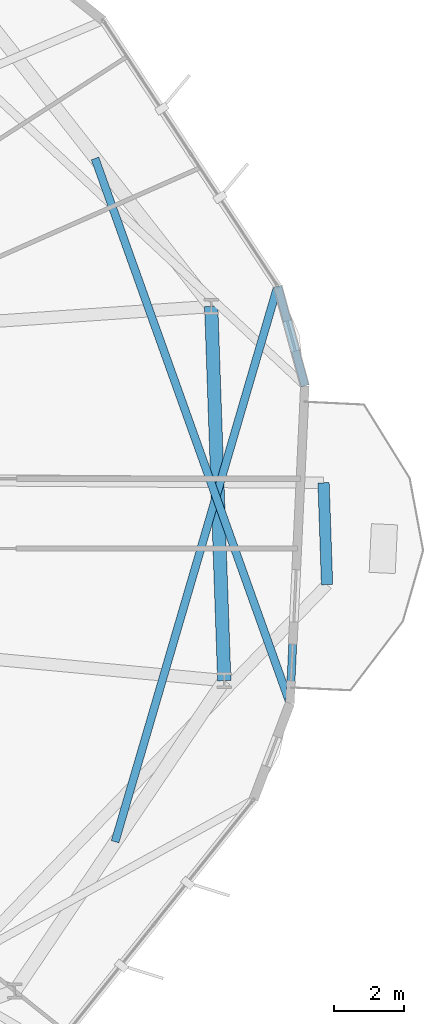
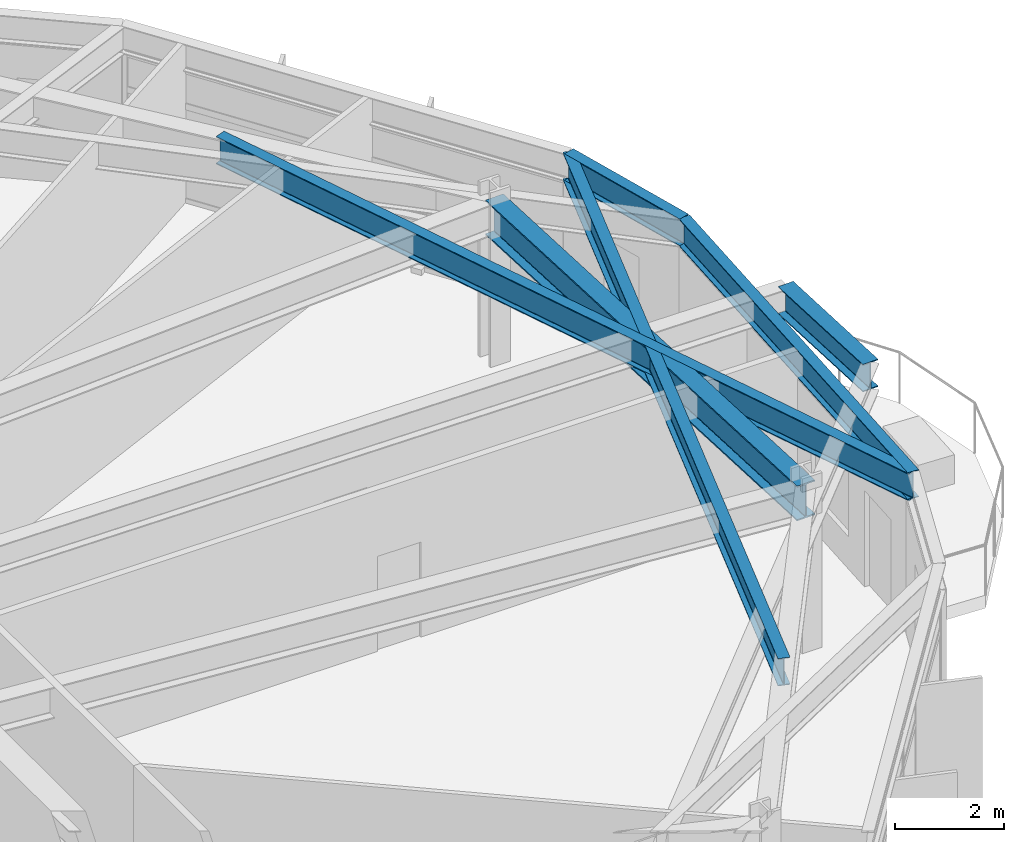
# One storey, part 11 of 25: 6 beams.
"""IFC4 building model written with IfcOpenShell, lengths in metres."""

from ifc_helpers import new_model, si_unit, direction, frame, origin, origin_2d, place, context, subcontext, project, spatial, i_section, extrude, material, material_profile, profile_set, type_object, element, save


model = new_model("IFC4")

# Units and contexts
model_context = context("Model", 3, precision=1e-05, world=origin(), true_north=direction((0.0, 1.0)))
body_context = subcontext(model_context, "Body", "Model", "MODEL_VIEW")
ifc_project = project(units=[si_unit("LENGTHUNIT", "METRE"), si_unit("AREAUNIT", "SQUARE_METRE"), si_unit("VOLUMEUNIT", "CUBIC_METRE"), si_unit("PLANEANGLEUNIT", "RADIAN"), si_unit("MASSUNIT", "GRAM", prefix="KILO")], contexts=[model_context])

# Site, building, storey
site_placement = place(None, origin())
site = spatial("IfcSite", under=ifc_project, at=site_placement, CompositionType="ELEMENT")
building_placement = place(site_placement, origin())
building = spatial("IfcBuilding", under=site, at=building_placement, Name="Soratama Intermodal Tower", CompositionType="ELEMENT")
storey_placement = place(building_placement, frame((0.0, 0.0, 87.39990234375)))
storey = spatial("IfcBuildingStorey", under=building, at=storey_placement, Name="L20", CompositionType="ELEMENT", Elevation=87.39990234375)

# Beams
ifc_material_1 = material(Name="Structural steel ASTM A992 Grade 50", Category="steel")
ifc_material_profile_1 = material_profile(ifc_material_1, i_section(OverallWidth=0.324951171875, OverallDepth=0.615966796875, WebThickness=0.013916015625, FlangeThickness=0.021484375, FilletRadius=0.013916015625, at=origin_2d()), Name="W24X117")
ifc_profile_set_1 = profile_set([ifc_material_profile_1], Name="Structural steel ASTM A992 Grade 50")
beam_type_1 = type_object("IfcBeamType", Name="BM-CANT-W24X117", PredefinedType="BEAM", material=ifc_profile_set_1)
beam_1_placement = place(storey_placement, frame((64.678955078125, 22.9609375, 3.2919921875), z_axis=(-0.034522588399, 0.999403917788, 0.0), x_axis=(-0.999403917788, -0.034522588399, 0.0)))
element("IfcBeam", 1, at=beam_1_placement, inside=storey, type_object=beam_type_1, Name="BM-L20-CBHDR-1", PredefinedType="BEAM", context=body_context, shape_type="SweptSolid", body=[
    extrude(i_section(OverallWidth=0.324951171875, OverallDepth=0.615966796875, WebThickness=0.013916015625, FlangeThickness=0.021484375, FilletRadius=0.013916015625, at=origin_2d()), origin(), (0.0, 0.0, 1.0), 2.927734375),
])
ifc_material_2 = material(Name="Structural steel ASTM A992 Grade 50", Category="steel")
ifc_material_profile_2 = material_profile(ifc_material_2, i_section(OverallWidth=0.382080078125, OverallDepth=0.779052734375, WebThickness=0.01806640625, FlangeThickness=0.030029296875, FilletRadius=0.01806640625, at=origin_2d()), Name="W30X191")
ifc_profile_set_2 = profile_set([ifc_material_profile_2], Name="Structural steel ASTM A992 Grade 50")
beam_type_2 = type_object("IfcBeamType", Name="BM-RING-W30X191", PredefinedType="BEAM", material=ifc_profile_set_2)
beam_2_placement = place(storey_placement, frame((61.72607421875, 20.2041015625, 3.210693359375), z_axis=(-0.034872799059, 0.999391758964, 0.0), x_axis=(-0.999391758964, -0.034872799059, 0.0)))
element("IfcBeam", 2, at=beam_2_placement, inside=storey, type_object=beam_type_2, Name="BM-L20-RING-10", PredefinedType="BEAM", context=body_context, shape_type="SweptSolid", body=[
    extrude(i_section(OverallWidth=0.382080078125, OverallDepth=0.779052734375, WebThickness=0.01806640625, FlangeThickness=0.030029296875, FilletRadius=0.01806640625, at=origin_2d()), origin(), (0.0, 0.0, 1.0), 10.75341796875),
])
ifc_material_3 = material(Name="Structural steel ASTM A992 Grade 50", Category="steel")
ifc_material_profile_3 = material_profile(ifc_material_3, i_section(OverallWidth=0.22900390625, OverallDepth=0.612060546875, WebThickness=0.011962890625, FlangeThickness=0.01953125, FilletRadius=0.012939453125, at=origin_2d()), Name="W24X84")
ifc_profile_set_3 = profile_set([ifc_material_profile_3], Name="Structural steel ASTM A992 Grade 50")
beam_type_3 = type_object("IfcBeamType", Name="BM-SPN-W24X84", PredefinedType="SPANDREL", material=ifc_profile_set_3)
beam_3_placement = place(storey_placement, frame((63.613037109375, 19.552001953125, 3.294189453125), z_axis=(0.047088728485, 0.998890710563, 0.0), x_axis=(-0.998890710563, 0.047088728485, 0.0)))
element("IfcBeam", 3, at=beam_3_placement, inside=storey, type_object=beam_type_3, Name="BS-L20-F10", PredefinedType="SPANDREL", context=body_context, shape_type="SweptSolid", body=[
    extrude(i_section(OverallWidth=0.22900390625, OverallDepth=0.612060546875, WebThickness=0.011962890625, FlangeThickness=0.01953125, FilletRadius=0.012939453125, at=origin_2d()), origin(), (0.0, 0.0, 1.0), 9.130126953125),
])
beam_4_placement = place(storey_placement, frame((64.04296875, 28.672119140625, 3.294189453125), z_axis=(-0.263973978063, 0.964529801979, 0.0), x_axis=(-0.964529801979, -0.263973978063, 0.0)))
element("IfcBeam", 4, at=beam_4_placement, inside=storey, type_object=beam_type_3, Name="BS-L20-CRN10", PredefinedType="SPANDREL", context=body_context, shape_type="SweptSolid", body=[
    extrude(i_section(OverallWidth=0.22900390625, OverallDepth=0.612060546875, WebThickness=0.011962890625, FlangeThickness=0.01953125, FilletRadius=0.012939453125, at=origin_2d()), origin(), (0.0, 0.0, 1.0), 2.966064453125),
])
ifc_material_4 = material(Name="Structural steel ASTM A992 Grade 50", Category="steel")
ifc_material_profile_4 = material_profile(ifc_material_4, i_section(OverallWidth=0.22900390625, OverallDepth=0.612060546875, WebThickness=0.011962890625, FlangeThickness=0.01953125, FilletRadius=0.012939453125, at=origin_2d()), Name="W24X84")
ifc_profile_set_4 = profile_set([ifc_material_profile_4], Name="Structural steel ASTM A992 Grade 50")
beam_type_4 = type_object("IfcBeamType", Name="BM-TIE-W24X84", PredefinedType="BEAM", material=ifc_profile_set_4)
beam_5_placement = place(storey_placement, frame((58.590087890625, 15.575927734375, 3.294189453125), z_axis=(0.280875001358, 0.959744358468, 0.0), x_axis=(-0.959744358468, 0.280875001358, 0.0)))
element("IfcBeam", 5, at=beam_5_placement, inside=storey, type_object=beam_type_4, Name="BM-L20-TIE0-01", PredefinedType="BEAM", context=body_context, shape_type="SweptSolid", body=[
    extrude(i_section(OverallWidth=0.22900390625, OverallDepth=0.612060546875, WebThickness=0.011962890625, FlangeThickness=0.01953125, FilletRadius=0.012939453125, at=origin_2d()), origin(), (0.0, 0.0, 1.0), 16.626220703125),
])
beam_6_placement = place(storey_placement, frame((58.013916015625, 35.201904296875, 3.294189453125), z_axis=(0.336862998779, -0.941553673485, 0.0), x_axis=(0.941553673485, 0.336862998779, 0.0)))
element("IfcBeam", 6, at=beam_6_placement, inside=storey, type_object=beam_type_4, Name="BM-L20-TIE0-10", PredefinedType="BEAM", context=body_context, shape_type="SweptSolid", body=[
    extrude(i_section(OverallWidth=0.22900390625, OverallDepth=0.612060546875, WebThickness=0.011962890625, FlangeThickness=0.01953125, FilletRadius=0.012939453125, at=origin_2d()), origin(), (0.0, 0.0, 1.0), 16.621337890625),
])

save(model, "model.ifc")
